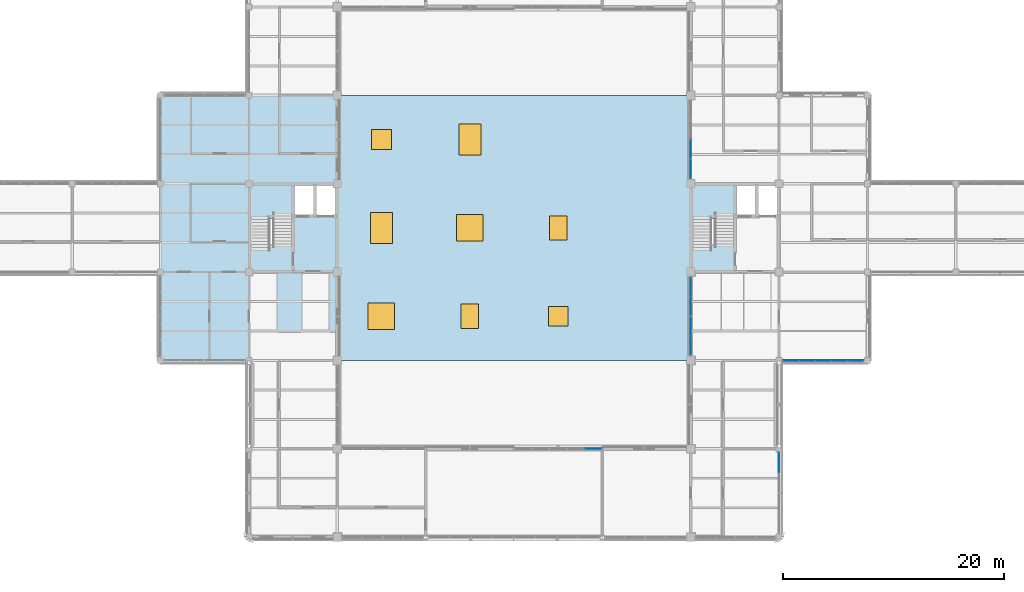
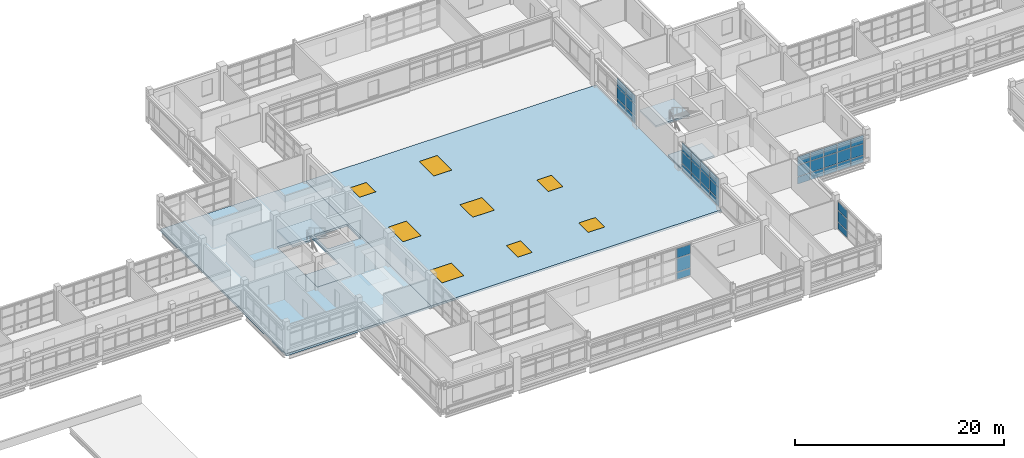
# One storey, part 60 of 107: 39 plates, 8 windows, 6 slabs, 8 openings, 7 elements without a shape of their own.
"""IFC4 building model written with IfcOpenShell, lengths in metres."""

from ifc_helpers import new_model, si_unit, derived_unit, direction, frame, origin, origin_2d, place, context, subcontext, project, spatial, polyline, rectangle, outline, extrude, material, layer, layer_set, type_object, element, fill, aggregate, save


model = new_model("IFC4")

# Units and contexts
model_context = context("Model", 3, precision=1e-05, world=origin(), true_north=direction((0.0, 1.0)))
body_context = subcontext(model_context, "Body", "Model", "MODEL_VIEW")
ifc_project = project(units=[si_unit("LENGTHUNIT", "METRE"), si_unit("AREAUNIT", "SQUARE_METRE"), si_unit("VOLUMEUNIT", "CUBIC_METRE"), si_unit("PLANEANGLEUNIT", "RADIAN"), si_unit("MASSUNIT", "GRAM", prefix="KILO"), derived_unit("THERMALTRANSMITTANCEUNIT", [(si_unit("MASSUNIT", "GRAM", prefix="KILO"), 1), (si_unit("TIMEUNIT", "SECOND"), -3), (si_unit("THERMODYNAMICTEMPERATUREUNIT", "KELVIN"), -1)])], contexts=[model_context])

# Site, building, storey
site_placement = place(None, origin())
site = spatial("IfcSite", under=ifc_project, at=site_placement, CompositionType="ELEMENT")
building_placement = place(site_placement, origin())
building = spatial("IfcBuilding", under=site, at=building_placement, Name="Veyamyaing Civic Hall", CompositionType="ELEMENT")
storey_placement = place(building_placement, frame((0.0, 0.0, 13.860107421875)))
storey = spatial("IfcBuildingStorey", under=building, at=storey_placement, Name="L03", CompositionType="ELEMENT", Elevation=13.860107421875)

# Curtain wall, plates
ifc_material_1 = material(Name="Anodised aluminium 6063-T6", Category="aluminium")
ifc_layer_1 = layer(ifc_material_1, 0.159912109375, Name="Anodised aluminium 6063-T6")
ifc_layer_set_1 = layer_set([ifc_layer_1], Name="Anodised aluminium 6063-T6")
curtain_wall_type_1 = type_object("IfcCurtainWallType", Name="CW-07", PredefinedType="NOTDEFINED", material=ifc_layer_set_1)
curtain_wall_1_placement = place(storey_placement, origin())
curtain_wall_1 = element("IfcCurtainWall", 1, at=curtain_wall_1_placement, inside=storey, type_object=curtain_wall_type_1, Name="Unitized curtain wall CW-07 L03 N 12.4", PredefinedType="NOTDEFINED")
ifc_material_2 = material(Name="Low-E insulated glass", Category="glass")
ifc_layer_2 = layer(ifc_material_2, 0.028076171875, Name="Low-E insulated glass")
ifc_layer_set_2 = layer_set([ifc_layer_2], Name="Low-E insulated glass")
plate_type_1 = type_object("IfcPlateType", Name="CWP-01", PredefinedType="CURTAIN_PANEL", material=ifc_layer_set_2)
plate_1_placement = place(storey_placement, frame((95.183837890625, 32.0, 0.06494140625), z_axis=(0.0, 0.0, 1.0), x_axis=(1.0, 0.0, 0.0)))
plate_1 = element("IfcPlate", 2, at=plate_1_placement, type_object=plate_type_1, Name="CW-07 panel 5.1", PredefinedType="CURTAIN_PANEL", context=body_context, shape_type="SweptSolid", body=[
    extrude(rectangle(XDim=1.50244140625, YDim=0.028076171875, at=origin_2d()), origin(), (0.0, 0.0, 1.0), 0.802490234375),
])
plate_2_placement = place(storey_placement, frame((95.183837890625, 32.0, 0.93212890625), z_axis=(0.0, 0.0, 1.0), x_axis=(1.0, 0.0, 0.0)))
plate_2 = element("IfcPlate", 3, at=plate_2_placement, type_object=plate_type_1, Name="CW-07 panel 5.2", PredefinedType="CURTAIN_PANEL", context=body_context, shape_type="SweptSolid", body=[
    extrude(rectangle(XDim=1.50244140625, YDim=0.028076171875, at=origin_2d()), origin(), (0.0, 0.0, 1.0), 1.568115234375),
])
plate_3_placement = place(storey_placement, frame((95.183837890625, 32.0, 2.5654296875), z_axis=(0.0, 0.0, 1.0), x_axis=(1.0, 0.0, 0.0)))
plate_3 = element("IfcPlate", 4, at=plate_3_placement, type_object=plate_type_1, Name="CW-07 panel 5.3", PredefinedType="CURTAIN_PANEL", context=body_context, shape_type="SweptSolid", body=[
    extrude(rectangle(XDim=1.50244140625, YDim=0.028076171875, at=origin_2d()), origin(), (0.0, 0.0, 1.0), 1.094482421875),
])
aggregate(curtain_wall_1, [plate_1, plate_2, plate_3])

curtain_wall_2_placement = place(storey_placement, origin())
curtain_wall_2 = element("IfcCurtainWall", 5, at=curtain_wall_2_placement, inside=storey, type_object=curtain_wall_type_1, Name="Unitized curtain wall CW-07 L03 W 14.8", PredefinedType="NOTDEFINED")
plate_4_placement = place(storey_placement, frame((104.0, 57.3388671875, 0.06494140625), z_axis=(0.0, 0.0, 1.0), x_axis=(0.0, 1.0, 0.0)))
plate_4 = element("IfcPlate", 6, at=plate_4_placement, type_object=plate_type_1, Name="CW-07 panel 1.1", PredefinedType="CURTAIN_PANEL", context=body_context, shape_type="SweptSolid", body=[
    extrude(rectangle(XDim=1.6875, YDim=0.028076171875, at=origin_2d()), origin(), (0.0, 0.0, 1.0), 0.802490234375),
])
plate_5_placement = place(storey_placement, frame((104.0, 57.3388671875, 0.932373046875), z_axis=(0.0, 0.0, 1.0), x_axis=(0.0, 1.0, 0.0)))
plate_5 = element("IfcPlate", 7, at=plate_5_placement, type_object=plate_type_1, Name="CW-07 panel 1.2", PredefinedType="CURTAIN_PANEL", context=body_context, shape_type="SweptSolid", body=[
    extrude(rectangle(XDim=1.6875, YDim=0.028076171875, at=origin_2d()), origin(), (0.0, 0.0, 1.0), 1.32470703125),
])
plate_6_placement = place(storey_placement, frame((104.0, 57.3388671875, 2.322021484375), z_axis=(0.0, 0.0, 1.0), x_axis=(0.0, 1.0, 0.0)))
plate_6 = element("IfcPlate", 8, at=plate_6_placement, type_object=plate_type_1, Name="CW-07 panel 1.3", PredefinedType="CURTAIN_PANEL", context=body_context, shape_type="SweptSolid", body=[
    extrude(rectangle(XDim=1.6875, YDim=0.028076171875, at=origin_2d()), origin(), (0.0, 0.0, 1.0), 0.97998046875),
])
plate_7_placement = place(storey_placement, frame((104.0, 59.107421875, 0.06494140625), z_axis=(0.0, 0.0, 1.0), x_axis=(0.0, 1.0, 0.0)))
plate_7 = element("IfcPlate", 9, at=plate_7_placement, type_object=plate_type_1, Name="CW-07 panel 2.1", PredefinedType="CURTAIN_PANEL", context=body_context, shape_type="SweptSolid", body=[
    extrude(rectangle(XDim=1.719970703125, YDim=0.028076171875, at=origin_2d()), origin(), (0.0, 0.0, 1.0), 0.802490234375),
])
plate_8_placement = place(storey_placement, frame((104.0, 59.107421875, 0.932373046875), z_axis=(0.0, 0.0, 1.0), x_axis=(0.0, 1.0, 0.0)))
plate_8 = element("IfcPlate", 10, at=plate_8_placement, type_object=plate_type_1, Name="CW-07 panel 2.2", PredefinedType="CURTAIN_PANEL", context=body_context, shape_type="SweptSolid", body=[
    extrude(rectangle(XDim=1.719970703125, YDim=0.028076171875, at=origin_2d()), origin(), (0.0, 0.0, 1.0), 1.32470703125),
])
plate_9_placement = place(storey_placement, frame((104.0, 59.107421875, 2.322021484375), z_axis=(0.0, 0.0, 1.0), x_axis=(0.0, 1.0, 0.0)))
plate_9 = element("IfcPlate", 11, at=plate_9_placement, type_object=plate_type_1, Name="CW-07 panel 2.3", PredefinedType="CURTAIN_PANEL", context=body_context, shape_type="SweptSolid", body=[
    extrude(rectangle(XDim=1.719970703125, YDim=0.028076171875, at=origin_2d()), origin(), (0.0, 0.0, 1.0), 0.97998046875),
])
aggregate(curtain_wall_2, [plate_4, plate_5, plate_6, plate_7, plate_8, plate_9])

curtain_wall_3_placement = place(storey_placement, origin())
curtain_wall_3 = element("IfcCurtainWall", 12, at=curtain_wall_3_placement, inside=storey, type_object=curtain_wall_type_1, Name="Unitized curtain wall CW-07 L03 E 14.4", PredefinedType="NOTDEFINED")
ifc_layer_3 = layer(ifc_material_2, 0.035888671875, Name="Low-E insulated glass")
ifc_layer_set_3 = layer_set([ifc_layer_3], Name="Low-E insulated glass")
plate_type_2 = type_object("IfcPlateType", Name="CWP-03", PredefinedType="CURTAIN_PANEL", material=ifc_layer_set_3)
plate_10_placement = place(storey_placement, frame((112.0, 30.7548828125, 0.06494140625), z_axis=(0.0, 0.0, 1.0), x_axis=(0.0, 1.0, 0.0)))
plate_10 = element("IfcPlate", 13, at=plate_10_placement, type_object=plate_type_2, Name="CW-07 panel 4.1", PredefinedType="CURTAIN_PANEL", context=body_context, shape_type="SweptSolid", body=[
    extrude(rectangle(XDim=1.75, YDim=0.035888671875, at=origin_2d()), origin(), (0.0, 0.0, 1.0), 0.802490234375),
])
plate_11_placement = place(storey_placement, frame((112.0, 30.7548828125, 0.93212890625), z_axis=(0.0, 0.0, 1.0), x_axis=(0.0, 1.0, 0.0)))
plate_11 = element("IfcPlate", 14, at=plate_11_placement, type_object=plate_type_2, Name="CW-07 panel 4.2", PredefinedType="CURTAIN_PANEL", context=body_context, shape_type="SweptSolid", body=[
    extrude(rectangle(XDim=1.75, YDim=0.035888671875, at=origin_2d()), origin(), (0.0, 0.0, 1.0), 1.279052734375),
])
plate_12_placement = place(storey_placement, frame((112.0, 30.7548828125, 2.2763671875), z_axis=(0.0, 0.0, 1.0), x_axis=(0.0, 1.0, 0.0)))
plate_12 = element("IfcPlate", 15, at=plate_12_placement, type_object=plate_type_2, Name="CW-07 panel 4.3", PredefinedType="CURTAIN_PANEL", context=body_context, shape_type="SweptSolid", body=[
    extrude(rectangle(XDim=1.75, YDim=0.035888671875, at=origin_2d()), origin(), (0.0, 0.0, 1.0), 0.95849609375),
])
aggregate(curtain_wall_3, [plate_10, plate_11, plate_12])

curtain_wall_4_placement = place(storey_placement, origin())
curtain_wall_4 = element("IfcCurtainWall", 16, at=curtain_wall_4_placement, inside=storey, type_object=curtain_wall_type_1, Name="Unitized curtain wall CW-07 L03 W 14.6", PredefinedType="NOTDEFINED")
ifc_layer_4 = layer(ifc_material_2, 0.0400390625, Name="Low-E insulated glass")
ifc_layer_set_4 = layer_set([ifc_layer_4], Name="Low-E insulated glass")
plate_type_3 = type_object("IfcPlateType", Name="CWP-05", PredefinedType="CURTAIN_PANEL", material=ifc_layer_set_4)
plate_13_placement = place(storey_placement, frame((104.0, 41.3388671875, 0.06494140625), z_axis=(0.0, 0.0, 1.0), x_axis=(0.0, 1.0, 0.0)))
plate_13 = element("IfcPlate", 17, at=plate_13_placement, type_object=plate_type_3, Name="CW-07 panel 1.1", PredefinedType="CURTAIN_PANEL", context=body_context, shape_type="SweptSolid", body=[
    extrude(rectangle(XDim=1.6875, YDim=0.0400390625, at=origin_2d()), origin(), (0.0, 0.0, 1.0), 0.802490234375),
])
plate_14_placement = place(storey_placement, frame((104.0, 41.3388671875, 0.9326171875), z_axis=(0.0, 0.0, 1.0), x_axis=(0.0, 1.0, 0.0)))
plate_14 = element("IfcPlate", 18, at=plate_14_placement, type_object=plate_type_3, Name="CW-07 panel 1.2", PredefinedType="CURTAIN_PANEL", context=body_context, shape_type="SweptSolid", body=[
    extrude(rectangle(XDim=1.6875, YDim=0.0400390625, at=origin_2d()), origin(), (0.0, 0.0, 1.0), 1.322509765625),
])
plate_15_placement = place(storey_placement, frame((104.0, 41.3388671875, 2.31982421875), z_axis=(0.0, 0.0, 1.0), x_axis=(0.0, 1.0, 0.0)))
plate_15 = element("IfcPlate", 19, at=plate_15_placement, type_object=plate_type_3, Name="CW-07 panel 1.3", PredefinedType="CURTAIN_PANEL", context=body_context, shape_type="SweptSolid", body=[
    extrude(rectangle(XDim=1.6875, YDim=0.0400390625, at=origin_2d()), origin(), (0.0, 0.0, 1.0), 0.97900390625),
])
plate_16_placement = place(storey_placement, frame((104.0, 43.107421875, 0.06494140625), z_axis=(0.0, 0.0, 1.0), x_axis=(0.0, 1.0, 0.0)))
plate_16 = element("IfcPlate", 20, at=plate_16_placement, type_object=plate_type_3, Name="CW-07 panel 2.1", PredefinedType="CURTAIN_PANEL", context=body_context, shape_type="SweptSolid", body=[
    extrude(rectangle(XDim=1.719970703125, YDim=0.0400390625, at=origin_2d()), origin(), (0.0, 0.0, 1.0), 0.802490234375),
])
plate_17_placement = place(storey_placement, frame((104.0, 43.107421875, 0.9326171875), z_axis=(0.0, 0.0, 1.0), x_axis=(0.0, 1.0, 0.0)))
plate_17 = element("IfcPlate", 21, at=plate_17_placement, type_object=plate_type_3, Name="CW-07 panel 2.2", PredefinedType="CURTAIN_PANEL", context=body_context, shape_type="SweptSolid", body=[
    extrude(rectangle(XDim=1.719970703125, YDim=0.0400390625, at=origin_2d()), origin(), (0.0, 0.0, 1.0), 1.322509765625),
])
plate_18_placement = place(storey_placement, frame((104.0, 43.107421875, 2.31982421875), z_axis=(0.0, 0.0, 1.0), x_axis=(0.0, 1.0, 0.0)))
plate_18 = element("IfcPlate", 22, at=plate_18_placement, type_object=plate_type_3, Name="CW-07 panel 2.3", PredefinedType="CURTAIN_PANEL", context=body_context, shape_type="SweptSolid", body=[
    extrude(rectangle(XDim=1.719970703125, YDim=0.0400390625, at=origin_2d()), origin(), (0.0, 0.0, 1.0), 0.97900390625),
])
plate_19_placement = place(storey_placement, frame((104.0, 44.892578125, 0.06494140625), z_axis=(0.0, 0.0, 1.0), x_axis=(0.0, 1.0, 0.0)))
plate_19 = element("IfcPlate", 23, at=plate_19_placement, type_object=plate_type_3, Name="CW-07 panel 3.1", PredefinedType="CURTAIN_PANEL", context=body_context, shape_type="SweptSolid", body=[
    extrude(rectangle(XDim=1.719970703125, YDim=0.0400390625, at=origin_2d()), origin(), (0.0, 0.0, 1.0), 0.802490234375),
])
plate_20_placement = place(storey_placement, frame((104.0, 44.892578125, 0.9326171875), z_axis=(0.0, 0.0, 1.0), x_axis=(0.0, 1.0, 0.0)))
plate_20 = element("IfcPlate", 24, at=plate_20_placement, type_object=plate_type_3, Name="CW-07 panel 3.2", PredefinedType="CURTAIN_PANEL", context=body_context, shape_type="SweptSolid", body=[
    extrude(rectangle(XDim=1.719970703125, YDim=0.0400390625, at=origin_2d()), origin(), (0.0, 0.0, 1.0), 1.322509765625),
])
plate_21_placement = place(storey_placement, frame((104.0, 44.892578125, 2.31982421875), z_axis=(0.0, 0.0, 1.0), x_axis=(0.0, 1.0, 0.0)))
plate_21 = element("IfcPlate", 25, at=plate_21_placement, type_object=plate_type_3, Name="CW-07 panel 3.3", PredefinedType="CURTAIN_PANEL", context=body_context, shape_type="SweptSolid", body=[
    extrude(rectangle(XDim=1.719970703125, YDim=0.0400390625, at=origin_2d()), origin(), (0.0, 0.0, 1.0), 0.97900390625),
])
plate_22_placement = place(storey_placement, frame((104.0, 46.6611328125, 0.06494140625), z_axis=(0.0, 0.0, 1.0), x_axis=(0.0, 1.0, 0.0)))
plate_22 = element("IfcPlate", 26, at=plate_22_placement, type_object=plate_type_3, Name="CW-07 panel 4.1", PredefinedType="CURTAIN_PANEL", context=body_context, shape_type="SweptSolid", body=[
    extrude(rectangle(XDim=1.6875, YDim=0.0400390625, at=origin_2d()), origin(), (0.0, 0.0, 1.0), 0.802490234375),
])
plate_23_placement = place(storey_placement, frame((104.0, 46.6611328125, 0.9326171875), z_axis=(0.0, 0.0, 1.0), x_axis=(0.0, 1.0, 0.0)))
plate_23 = element("IfcPlate", 27, at=plate_23_placement, type_object=plate_type_3, Name="CW-07 panel 4.2", PredefinedType="CURTAIN_PANEL", context=body_context, shape_type="SweptSolid", body=[
    extrude(rectangle(XDim=1.6875, YDim=0.0400390625, at=origin_2d()), origin(), (0.0, 0.0, 1.0), 1.322509765625),
])
plate_24_placement = place(storey_placement, frame((104.0, 46.6611328125, 2.31982421875), z_axis=(0.0, 0.0, 1.0), x_axis=(0.0, 1.0, 0.0)))
plate_24 = element("IfcPlate", 28, at=plate_24_placement, type_object=plate_type_3, Name="CW-07 panel 4.3", PredefinedType="CURTAIN_PANEL", context=body_context, shape_type="SweptSolid", body=[
    extrude(rectangle(XDim=1.6875, YDim=0.0400390625, at=origin_2d()), origin(), (0.0, 0.0, 1.0), 0.97900390625),
])
aggregate(curtain_wall_4, [plate_13, plate_14, plate_15, plate_16, plate_17, plate_18, plate_19, plate_20, plate_21, plate_22, plate_23, plate_24])

ifc_layer_5 = layer(ifc_material_1, 0.139892578125, Name="Anodised aluminium 6063-T6")
ifc_layer_set_5 = layer_set([ifc_layer_5], Name="Anodised aluminium 6063-T6")
curtain_wall_type_2 = type_object("IfcCurtainWallType", Name="CW-04", PredefinedType="NOTDEFINED", material=ifc_layer_set_5)
curtain_wall_5_placement = place(storey_placement, origin())
curtain_wall_5 = element("IfcCurtainWall", 29, at=curtain_wall_5_placement, inside=storey, type_object=curtain_wall_type_2, Name="Unitized curtain wall CW-04 L03 S 15.6", PredefinedType="NOTDEFINED")
ifc_layer_6 = layer(ifc_material_2, 0.02197265625, Name="Low-E insulated glass")
ifc_layer_set_6 = layer_set([ifc_layer_6], Name="Low-E insulated glass")
plate_type_4 = type_object("IfcPlateType", Name="CWP-06", PredefinedType="CURTAIN_PANEL", material=ifc_layer_set_6)
plate_25_placement = place(storey_placement, frame((113.05908203125, 40.0, 0.059814453125), z_axis=(0.0, 0.0, 1.0), x_axis=(1.0, 0.0, 0.0)))
plate_25 = element("IfcPlate", 30, at=plate_25_placement, type_object=plate_type_4, Name="CW-04 panel 1.1", PredefinedType="CURTAIN_PANEL", context=body_context, shape_type="SweptSolid", body=[
    extrude(rectangle(XDim=1.387939453125, YDim=0.02197265625, at=origin_2d()), origin(), (0.0, 0.0, 1.0), 0.81005859375),
])
plate_26_placement = place(storey_placement, frame((113.05908203125, 40.0, 0.929931640625), z_axis=(0.0, 0.0, 1.0), x_axis=(1.0, 0.0, 0.0)))
plate_26 = element("IfcPlate", 31, at=plate_26_placement, type_object=plate_type_4, Name="CW-04 panel 1.2", PredefinedType="CURTAIN_PANEL", context=body_context, shape_type="SweptSolid", body=[
    extrude(rectangle(XDim=1.387939453125, YDim=0.02197265625, at=origin_2d()), origin(), (0.0, 0.0, 1.0), 1.28662109375),
])
plate_27_placement = place(storey_placement, frame((113.05908203125, 40.0, 2.276611328125), z_axis=(0.0, 0.0, 1.0), x_axis=(1.0, 0.0, 0.0)))
plate_27 = element("IfcPlate", 32, at=plate_27_placement, type_object=plate_type_4, Name="CW-04 panel 1.3", PredefinedType="CURTAIN_PANEL", context=body_context, shape_type="SweptSolid", body=[
    extrude(rectangle(XDim=1.387939453125, YDim=0.02197265625, at=origin_2d()), origin(), (0.0, 0.0, 1.0), 0.96728515625),
])
plate_28_placement = place(storey_placement, frame((114.52197265625, 40.0, 0.059814453125), z_axis=(0.0, 0.0, 1.0), x_axis=(1.0, 0.0, 0.0)))
plate_28 = element("IfcPlate", 33, at=plate_28_placement, type_object=plate_type_4, Name="CW-04 panel 2.1", PredefinedType="CURTAIN_PANEL", context=body_context, shape_type="SweptSolid", body=[
    extrude(rectangle(XDim=1.41796875, YDim=0.02197265625, at=origin_2d()), origin(), (0.0, 0.0, 1.0), 0.81005859375),
])
plate_29_placement = place(storey_placement, frame((114.52197265625, 40.0, 0.929931640625), z_axis=(0.0, 0.0, 1.0), x_axis=(1.0, 0.0, 0.0)))
plate_29 = element("IfcPlate", 34, at=plate_29_placement, type_object=plate_type_4, Name="CW-04 panel 2.2", PredefinedType="CURTAIN_PANEL", context=body_context, shape_type="SweptSolid", body=[
    extrude(rectangle(XDim=1.41796875, YDim=0.02197265625, at=origin_2d()), origin(), (0.0, 0.0, 1.0), 1.28662109375),
])
plate_30_placement = place(storey_placement, frame((114.52197265625, 40.0, 2.276611328125), z_axis=(0.0, 0.0, 1.0), x_axis=(1.0, 0.0, 0.0)))
plate_30 = element("IfcPlate", 35, at=plate_30_placement, type_object=plate_type_4, Name="CW-04 panel 2.3", PredefinedType="CURTAIN_PANEL", context=body_context, shape_type="SweptSolid", body=[
    extrude(rectangle(XDim=1.41796875, YDim=0.02197265625, at=origin_2d()), origin(), (0.0, 0.0, 1.0), 0.96728515625),
])
plate_31_placement = place(storey_placement, frame((116.0, 40.0, 0.059814453125), z_axis=(0.0, 0.0, 1.0), x_axis=(1.0, 0.0, 0.0)))
plate_31 = element("IfcPlate", 36, at=plate_31_placement, type_object=plate_type_4, Name="CW-04 panel 3.1", PredefinedType="CURTAIN_PANEL", context=body_context, shape_type="SweptSolid", body=[
    extrude(rectangle(XDim=1.41796875, YDim=0.02197265625, at=origin_2d()), origin(), (0.0, 0.0, 1.0), 0.81005859375),
])
plate_32_placement = place(storey_placement, frame((116.0, 40.0, 0.929931640625), z_axis=(0.0, 0.0, 1.0), x_axis=(1.0, 0.0, 0.0)))
plate_32 = element("IfcPlate", 37, at=plate_32_placement, type_object=plate_type_4, Name="CW-04 panel 3.2", PredefinedType="CURTAIN_PANEL", context=body_context, shape_type="SweptSolid", body=[
    extrude(rectangle(XDim=1.41796875, YDim=0.02197265625, at=origin_2d()), origin(), (0.0, 0.0, 1.0), 1.28662109375),
])
plate_33_placement = place(storey_placement, frame((116.0, 40.0, 2.276611328125), z_axis=(0.0, 0.0, 1.0), x_axis=(1.0, 0.0, 0.0)))
plate_33 = element("IfcPlate", 38, at=plate_33_placement, type_object=plate_type_4, Name="CW-04 panel 3.3", PredefinedType="CURTAIN_PANEL", context=body_context, shape_type="SweptSolid", body=[
    extrude(rectangle(XDim=1.41796875, YDim=0.02197265625, at=origin_2d()), origin(), (0.0, 0.0, 1.0), 0.96728515625),
])
plate_34_placement = place(storey_placement, frame((117.47802734375, 40.0, 0.059814453125), z_axis=(0.0, 0.0, 1.0), x_axis=(1.0, 0.0, 0.0)))
plate_34 = element("IfcPlate", 39, at=plate_34_placement, type_object=plate_type_4, Name="CW-04 panel 4.1", PredefinedType="CURTAIN_PANEL", context=body_context, shape_type="SweptSolid", body=[
    extrude(rectangle(XDim=1.41796875, YDim=0.02197265625, at=origin_2d()), origin(), (0.0, 0.0, 1.0), 0.81005859375),
])
plate_35_placement = place(storey_placement, frame((117.47802734375, 40.0, 0.929931640625), z_axis=(0.0, 0.0, 1.0), x_axis=(1.0, 0.0, 0.0)))
plate_35 = element("IfcPlate", 40, at=plate_35_placement, type_object=plate_type_4, Name="CW-04 panel 4.2", PredefinedType="CURTAIN_PANEL", context=body_context, shape_type="SweptSolid", body=[
    extrude(rectangle(XDim=1.41796875, YDim=0.02197265625, at=origin_2d()), origin(), (0.0, 0.0, 1.0), 1.28662109375),
])
plate_36_placement = place(storey_placement, frame((117.47802734375, 40.0, 2.276611328125), z_axis=(0.0, 0.0, 1.0), x_axis=(1.0, 0.0, 0.0)))
plate_36 = element("IfcPlate", 41, at=plate_36_placement, type_object=plate_type_4, Name="CW-04 panel 4.3", PredefinedType="CURTAIN_PANEL", context=body_context, shape_type="SweptSolid", body=[
    extrude(rectangle(XDim=1.41796875, YDim=0.02197265625, at=origin_2d()), origin(), (0.0, 0.0, 1.0), 0.96728515625),
])
plate_37_placement = place(storey_placement, frame((118.94091796875, 40.0, 0.059814453125), z_axis=(0.0, 0.0, 1.0), x_axis=(1.0, 0.0, 0.0)))
plate_37 = element("IfcPlate", 42, at=plate_37_placement, type_object=plate_type_4, Name="CW-04 panel 5.1", PredefinedType="CURTAIN_PANEL", context=body_context, shape_type="SweptSolid", body=[
    extrude(rectangle(XDim=1.387939453125, YDim=0.02197265625, at=origin_2d()), origin(), (0.0, 0.0, 1.0), 0.81005859375),
])
plate_38_placement = place(storey_placement, frame((118.94091796875, 40.0, 0.929931640625), z_axis=(0.0, 0.0, 1.0), x_axis=(1.0, 0.0, 0.0)))
plate_38 = element("IfcPlate", 43, at=plate_38_placement, type_object=plate_type_4, Name="CW-04 panel 5.2", PredefinedType="CURTAIN_PANEL", context=body_context, shape_type="SweptSolid", body=[
    extrude(rectangle(XDim=1.387939453125, YDim=0.02197265625, at=origin_2d()), origin(), (0.0, 0.0, 1.0), 1.28662109375),
])
plate_39_placement = place(storey_placement, frame((118.94091796875, 40.0, 2.276611328125), z_axis=(0.0, 0.0, 1.0), x_axis=(1.0, 0.0, 0.0)))
plate_39 = element("IfcPlate", 44, at=plate_39_placement, type_object=plate_type_4, Name="CW-04 panel 5.3", PredefinedType="CURTAIN_PANEL", context=body_context, shape_type="SweptSolid", body=[
    extrude(rectangle(XDim=1.387939453125, YDim=0.02197265625, at=origin_2d()), origin(), (0.0, 0.0, 1.0), 0.96728515625),
])
aggregate(curtain_wall_5, [plate_25, plate_26, plate_27, plate_28, plate_29, plate_30, plate_31, plate_32, plate_33, plate_34, plate_35, plate_36, plate_37, plate_38, plate_39])

# Slab
ifc_material_3 = material(Name="Concrete C40/50", Category="concrete")
ifc_layer_7 = layer(ifc_material_3, 0.2548828125, Name="Concrete C40/50")
ifc_layer_set_7 = layer_set([ifc_layer_7], Name="Concrete C40/50")
slab_type_1 = type_object("IfcSlabType", Name="SL-05", PredefinedType="FLOOR", material=ifc_layer_set_7)
slab_1_placement = place(storey_placement, frame((0.0, 0.0, -0.255126953125)))
element("IfcSlab", 45, at=slab_1_placement, inside=storey, type_object=slab_type_1, Name="Floor slab SL-05 L03 V1C.1", PredefinedType="FLOOR", context=body_context, shape_type="SweptSolid", body=[
    extrude(outline(polyline([(56.0, 64.0), (72.0, 64.0), (72.0, 40.0), (56.0, 40.0), (56.0, 64.0)]), holes=[polyline([(64.139892578125, 55.860107421875), (64.139892578125, 48.139892578125), (67.909912109375, 48.139892578125), (67.909912109375, 55.860107421875), (64.139892578125, 55.860107421875)]), polyline([(71.820068359375, 55.820068359375), (68.179931640625, 55.820068359375), (68.179931640625, 53.179931640625), (71.820068359375, 53.179931640625), (71.820068359375, 55.820068359375)])]), origin(), (0.0, 0.0, 1.0), 0.255126953125),
])

# Slab, openings, windows
ifc_layer_8 = layer(ifc_material_3, 0.239990234375, Name="Concrete C40/50")
ifc_layer_set_8 = layer_set([ifc_layer_8], Name="Concrete C40/50")
slab_type_2 = type_object("IfcSlabType", Name="SL-15", PredefinedType="ROOF", material=ifc_layer_set_8)
slab_2_placement = place(storey_placement, frame((0.0, 0.0, -0.239990234375)))
slab_2 = element("IfcSlab", 46, at=slab_2_placement, inside=storey, type_object=slab_type_2, Name="Roof slab SL-15 L03 V1C.1", PredefinedType="ROOF", context=body_context, shape_type="SweptSolid", body=[
    extrude(outline(polyline([(72.0, 40.0), (72.0, 64.0), (104.0, 64.0), (104.0, 40.0), (72.0, 40.0)])), origin(), (0.0, 0.0, 1.0), 0.239990234375),
])
opening_1_placement = place(slab_2_placement, frame((76.0, 44.0, 0.0)))
opening_1 = element("IfcOpeningElement", 47, at=opening_1_placement, cuts=slab_2, Name="Opening SK-01", PredefinedType="OPENING", context=body_context, shape_type="SweptSolid", body=[
    extrude(rectangle(XDim=2.39990234375, YDim=2.39990234375, at=origin_2d()), frame((0.0, 0.0, -0.010009765625)), (0.0, 0.0, 1.0), 0.260009765625),
])
opening_2_placement = place(slab_2_placement, frame((76.0, 52.0, 0.0)))
opening_2 = element("IfcOpeningElement", 48, at=opening_2_placement, cuts=slab_2, Name="Opening SK-02", PredefinedType="OPENING", context=body_context, shape_type="SweptSolid", body=[
    extrude(rectangle(XDim=2.0, YDim=2.800048828125, at=origin_2d()), frame((0.0, 0.0, -0.010009765625)), (0.0, 0.0, 1.0), 0.260009765625),
])
opening_3_placement = place(slab_2_placement, frame((76.0, 60.0, 0.0)))
opening_3 = element("IfcOpeningElement", 49, at=opening_3_placement, cuts=slab_2, Name="Opening SK-03", PredefinedType="OPENING", context=body_context, shape_type="SweptSolid", body=[
    extrude(rectangle(XDim=1.800048828125, YDim=1.800048828125, at=origin_2d()), frame((0.0, 0.0, -0.010009765625)), (0.0, 0.0, 1.0), 0.260009765625),
])
opening_4_placement = place(slab_2_placement, frame((84.0, 44.0, 0.0)))
opening_4 = element("IfcOpeningElement", 50, at=opening_4_placement, cuts=slab_2, Name="Opening SK-04", PredefinedType="OPENING", context=body_context, shape_type="SweptSolid", body=[
    extrude(rectangle(XDim=1.60009765625, YDim=2.199951171875, at=origin_2d()), frame((0.0, 0.0, -0.010009765625)), (0.0, 0.0, 1.0), 0.260009765625),
])
opening_5_placement = place(slab_2_placement, frame((84.0, 52.0, 0.0)))
opening_5 = element("IfcOpeningElement", 51, at=opening_5_placement, cuts=slab_2, Name="Opening SK-01", PredefinedType="OPENING", context=body_context, shape_type="SweptSolid", body=[
    extrude(rectangle(XDim=2.39990234375, YDim=2.39990234375, at=origin_2d()), frame((0.0, 0.0, -0.010009765625)), (0.0, 0.0, 1.0), 0.260009765625),
])
opening_6_placement = place(slab_2_placement, frame((84.0, 60.0, 0.0)))
opening_6 = element("IfcOpeningElement", 52, at=opening_6_placement, cuts=slab_2, Name="Opening SK-02", PredefinedType="OPENING", context=body_context, shape_type="SweptSolid", body=[
    extrude(rectangle(XDim=2.0, YDim=2.800048828125, at=origin_2d()), frame((0.0, 0.0, -0.010009765625)), (0.0, 0.0, 1.0), 0.260009765625),
])
opening_7_placement = place(slab_2_placement, frame((92.0, 44.0, 0.0)))
opening_7 = element("IfcOpeningElement", 53, at=opening_7_placement, cuts=slab_2, Name="Opening SK-03", PredefinedType="OPENING", context=body_context, shape_type="SweptSolid", body=[
    extrude(rectangle(XDim=1.800048828125, YDim=1.800048828125, at=origin_2d()), frame((0.0, 0.0, -0.010009765625)), (0.0, 0.0, 1.0), 0.260009765625),
])
opening_8_placement = place(slab_2_placement, frame((92.0, 52.0, 0.0)))
opening_8 = element("IfcOpeningElement", 54, at=opening_8_placement, cuts=slab_2, Name="Opening SK-04", PredefinedType="OPENING", context=body_context, shape_type="SweptSolid", body=[
    extrude(rectangle(XDim=1.60009765625, YDim=2.199951171875, at=origin_2d()), frame((0.0, 0.0, -0.010009765625)), (0.0, 0.0, 1.0), 0.260009765625),
])
window_type_1 = type_object("IfcWindowType", Name="SK-01", PartitioningType="SINGLE_PANEL", PredefinedType="SKYLIGHT", material=ifc_material_2)
window_1_placement = place(opening_1_placement, frame((0.0, 0.0, 0.18994140625)))
window_1 = element("IfcWindow", 55, at=window_1_placement, inside=storey, type_object=window_type_1, Name="Modular roof skylight SK-01 L03.1", OverallHeight=2.39990234375, OverallWidth=2.39990234375, PartitioningType="SINGLE_PANEL", PredefinedType="SKYLIGHT", context=body_context, shape_type="SweptSolid", body=[
    extrude(rectangle(XDim=2.39990234375, YDim=2.39990234375, at=origin_2d()), origin(), (0.0, 0.0, 1.0), 0.050048828125),
])
fill(opening_1, window_1)
window_2_placement = place(opening_5_placement, frame((0.0, 0.0, 0.18994140625)))
window_2 = element("IfcWindow", 56, at=window_2_placement, inside=storey, type_object=window_type_1, Name="Modular roof skylight SK-01 L03.5", OverallHeight=2.39990234375, OverallWidth=2.39990234375, PartitioningType="SINGLE_PANEL", PredefinedType="SKYLIGHT", context=body_context, shape_type="SweptSolid", body=[
    extrude(rectangle(XDim=2.39990234375, YDim=2.39990234375, at=origin_2d()), origin(), (0.0, 0.0, 1.0), 0.050048828125),
])
fill(opening_5, window_2)
window_type_2 = type_object("IfcWindowType", Name="SK-02", PartitioningType="SINGLE_PANEL", PredefinedType="SKYLIGHT", material=ifc_material_2)
window_3_placement = place(opening_2_placement, frame((0.0, 0.0, 0.18994140625)))
window_3 = element("IfcWindow", 57, at=window_3_placement, inside=storey, type_object=window_type_2, Name="Modular roof skylight SK-02 L03.2", OverallHeight=2.800048828125, OverallWidth=2.0, PartitioningType="SINGLE_PANEL", PredefinedType="SKYLIGHT", context=body_context, shape_type="SweptSolid", body=[
    extrude(rectangle(XDim=2.0, YDim=2.800048828125, at=origin_2d()), origin(), (0.0, 0.0, 1.0), 0.050048828125),
])
fill(opening_2, window_3)
window_4_placement = place(opening_6_placement, frame((0.0, 0.0, 0.18994140625)))
window_4 = element("IfcWindow", 58, at=window_4_placement, inside=storey, type_object=window_type_2, Name="Modular roof skylight SK-02 L03.6", OverallHeight=2.800048828125, OverallWidth=2.0, PartitioningType="SINGLE_PANEL", PredefinedType="SKYLIGHT", context=body_context, shape_type="SweptSolid", body=[
    extrude(rectangle(XDim=2.0, YDim=2.800048828125, at=origin_2d()), origin(), (0.0, 0.0, 1.0), 0.050048828125),
])
fill(opening_6, window_4)
window_type_3 = type_object("IfcWindowType", Name="SK-03", PartitioningType="SINGLE_PANEL", PredefinedType="SKYLIGHT", material=ifc_material_2)
window_5_placement = place(opening_3_placement, frame((0.0, 0.0, 0.18994140625)))
window_5 = element("IfcWindow", 59, at=window_5_placement, inside=storey, type_object=window_type_3, Name="Modular roof skylight SK-03 L03.3", OverallHeight=1.800048828125, OverallWidth=1.800048828125, PartitioningType="SINGLE_PANEL", PredefinedType="SKYLIGHT", context=body_context, shape_type="SweptSolid", body=[
    extrude(rectangle(XDim=1.800048828125, YDim=1.800048828125, at=origin_2d()), origin(), (0.0, 0.0, 1.0), 0.050048828125),
])
fill(opening_3, window_5)
window_6_placement = place(opening_7_placement, frame((0.0, 0.0, 0.18994140625)))
window_6 = element("IfcWindow", 60, at=window_6_placement, inside=storey, type_object=window_type_3, Name="Modular roof skylight SK-03 L03.7", OverallHeight=1.800048828125, OverallWidth=1.800048828125, PartitioningType="SINGLE_PANEL", PredefinedType="SKYLIGHT", context=body_context, shape_type="SweptSolid", body=[
    extrude(rectangle(XDim=1.800048828125, YDim=1.800048828125, at=origin_2d()), origin(), (0.0, 0.0, 1.0), 0.050048828125),
])
fill(opening_7, window_6)
window_type_4 = type_object("IfcWindowType", Name="SK-04", PartitioningType="SINGLE_PANEL", PredefinedType="SKYLIGHT", material=ifc_material_2)
window_7_placement = place(opening_4_placement, frame((0.0, 0.0, 0.18994140625)))
window_7 = element("IfcWindow", 61, at=window_7_placement, inside=storey, type_object=window_type_4, Name="Modular roof skylight SK-04 L03.4", OverallHeight=2.199951171875, OverallWidth=1.60009765625, PartitioningType="SINGLE_PANEL", PredefinedType="SKYLIGHT", context=body_context, shape_type="SweptSolid", body=[
    extrude(rectangle(XDim=1.60009765625, YDim=2.199951171875, at=origin_2d()), origin(), (0.0, 0.0, 1.0), 0.050048828125),
])
fill(opening_4, window_7)
window_8_placement = place(opening_8_placement, frame((0.0, 0.0, 0.18994140625)))
window_8 = element("IfcWindow", 62, at=window_8_placement, inside=storey, type_object=window_type_4, Name="Modular roof skylight SK-04 L03.8", OverallHeight=2.199951171875, OverallWidth=1.60009765625, PartitioningType="SINGLE_PANEL", PredefinedType="SKYLIGHT", context=body_context, shape_type="SweptSolid", body=[
    extrude(rectangle(XDim=1.60009765625, YDim=2.199951171875, at=origin_2d()), origin(), (0.0, 0.0, 1.0), 0.050048828125),
])
fill(opening_8, window_8)

# Slabs
ifc_layer_9 = layer(ifc_material_3, 0.199951171875, Name="Concrete C40/50")
ifc_layer_set_9 = layer_set([ifc_layer_9], Name="Concrete C40/50")
slab_type_3 = type_object("IfcSlabType", Name="SL-16", PredefinedType="FLOOR", material=ifc_layer_set_9)
slab_3_placement = place(storey_placement, frame((0.0, 0.0, -0.2001953125)))
element("IfcSlab", 63, at=slab_3_placement, inside=storey, type_object=slab_type_3, Name="Stair floor landing slab SL-16 ST-05 L03", PredefinedType="FLOOR", context=body_context, shape_type="SweptSolid", body=[
    extrude(outline(polyline([(64.139892578125, 48.139892578125), (67.909912109375, 48.139892578125), (67.909912109375, 50.52001953125), (64.139892578125, 50.52001953125), (64.139892578125, 48.139892578125)])), origin(), (0.0, 0.0, 1.0), 0.2001953125),
])
slab_4_placement = place(storey_placement, frame((0.0, 0.0, -0.2001953125)))
element("IfcSlab", 64, at=slab_4_placement, inside=storey, type_object=slab_type_3, Name="Stair floor landing slab SL-16 ST-06 L03", PredefinedType="FLOOR", context=body_context, shape_type="SweptSolid", body=[
    extrude(outline(polyline([(104.139892578125, 48.139892578125), (107.909912109375, 48.139892578125), (107.909912109375, 50.52001953125), (104.139892578125, 50.52001953125), (104.139892578125, 48.139892578125)])), origin(), (0.0, 0.0, 1.0), 0.2001953125),
])

# Stair, slab
stair_type = type_object("IfcStairType", Name="ST-D", PredefinedType="HALF_TURN_STAIR", material=ifc_material_3)
stair_1_placement = place(storey_placement, origin())
stair_1 = element("IfcStair", 65, at=stair_1_placement, inside=storey, type_object=stair_type, Name="Protected exit stair ST-05 L03", PredefinedType="HALF_TURN_STAIR")
ifc_layer_10 = layer(ifc_material_3, 0.195068359375, Name="Concrete C40/50")
ifc_layer_set_10 = layer_set([ifc_layer_10], Name="Concrete C40/50")
slab_type_4 = type_object("IfcSlabType", Name="SL-LND", PredefinedType="LANDING", material=ifc_layer_set_10)
slab_5_placement = place(storey_placement, frame((0.0, 0.0, 1.784912109375)))
slab_5 = element("IfcSlab", 66, at=slab_5_placement, type_object=slab_type_4, Name="ST-05 landing 1", PredefinedType="LANDING", context=body_context, shape_type="SweptSolid", body=[
    extrude(outline(polyline([(64.139892578125, 52.7900390625), (67.909912109375, 52.7900390625), (67.909912109375, 55.860107421875), (64.139892578125, 55.860107421875), (64.139892578125, 52.7900390625)])), origin(), (0.0, 0.0, 1.0), 0.195068359375),
])
aggregate(stair_1, [slab_5])

stair_2_placement = place(storey_placement, origin())
stair_2 = element("IfcStair", 67, at=stair_2_placement, inside=storey, type_object=stair_type, Name="Protected exit stair ST-06 L03", PredefinedType="HALF_TURN_STAIR")
slab_6_placement = place(storey_placement, frame((0.0, 0.0, 1.784912109375)))
slab_6 = element("IfcSlab", 68, at=slab_6_placement, type_object=slab_type_4, Name="ST-06 landing 1", PredefinedType="LANDING", context=body_context, shape_type="SweptSolid", body=[
    extrude(outline(polyline([(104.139892578125, 52.7900390625), (107.909912109375, 52.7900390625), (107.909912109375, 55.860107421875), (104.139892578125, 55.860107421875), (104.139892578125, 52.7900390625)])), origin(), (0.0, 0.0, 1.0), 0.195068359375),
])
aggregate(stair_2, [slab_6])

save(model, "model.ifc")
